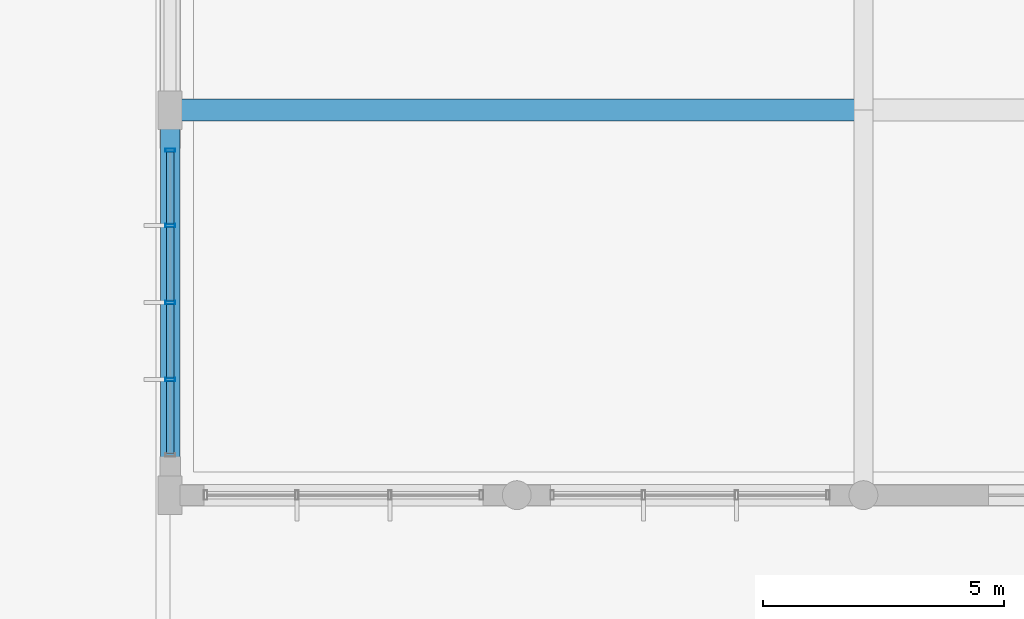
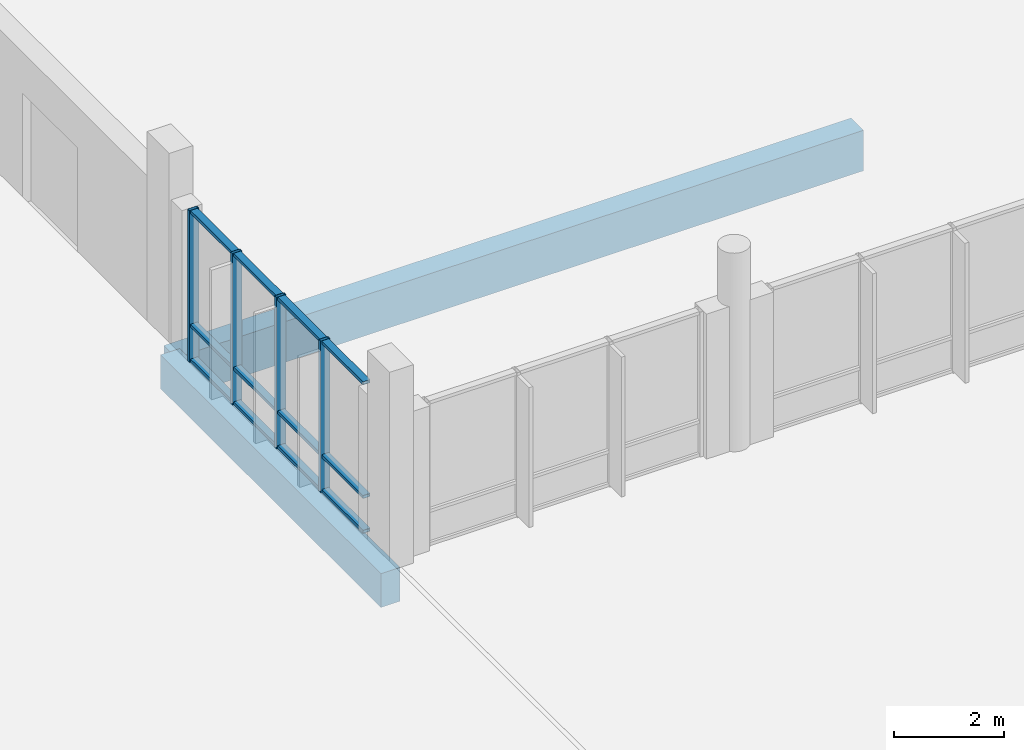
# One storey, part 58 of 233: 16 members, 2 beams, 1 element without a shape of its own.
"""IFC4 building model written with IfcOpenShell, lengths in metres."""

from ifc_helpers import new_model, si_unit, direction, frame, origin, origin_2d, place, context, subcontext, project, spatial, rectangle, hollow_rectangle, extrude, material, material_profile, profile_set, type_object, element, aggregate, save


model = new_model("IFC4")

# Units and contexts
model_context = context("Model", 3, precision=1e-05, world=origin(), true_north=direction((0.0, 1.0)))
body_context = subcontext(model_context, "Body", "Model", "MODEL_VIEW")
ifc_project = project(units=[si_unit("LENGTHUNIT", "METRE"), si_unit("AREAUNIT", "SQUARE_METRE"), si_unit("VOLUMEUNIT", "CUBIC_METRE"), si_unit("PLANEANGLEUNIT", "RADIAN"), si_unit("MASSUNIT", "GRAM", prefix="KILO")], contexts=[model_context])

# Site, building, storey
site_placement = place(None, origin())
site = spatial("IfcSite", under=ifc_project, at=site_placement, CompositionType="ELEMENT")
building_placement = place(site_placement, origin())
building = spatial("IfcBuilding", under=site, at=building_placement, Name="Zavelmont Quarter", CompositionType="ELEMENT")
storey_placement = place(building_placement, origin())
storey = spatial("IfcBuildingStorey", under=building, at=storey_placement, Name="L00", CompositionType="ELEMENT", Elevation=0.0)

# Beams
ifc_material_1 = material(Name="Concrete C40/50", Category="concrete")
ifc_material_profile_1 = material_profile(ifc_material_1, rectangle(XDim=0.39990234375, YDim=0.75, at=origin_2d()), Name="RC400X750")
ifc_profile_set_1 = profile_set([ifc_material_profile_1], Name="Concrete C40/50")
beam_type_1 = type_object("IfcBeamType", Name="BM05", PredefinedType="BEAM", material=ifc_profile_set_1)
beam_1_placement = place(storey_placement, frame((55.199951171875, 30.0, -0.695068359375), z_axis=(0.0, 1.0, 0.0), x_axis=(-1.0, 0.0, 0.0)))
element("IfcBeam", 1, at=beam_1_placement, inside=storey, type_object=beam_type_1, Name="L00 beam BM05 9/F to 9/G", PredefinedType="BEAM", context=body_context, shape_type="SweptSolid", body=[
    extrude(rectangle(XDim=0.39990234375, YDim=0.75, at=origin_2d()), origin(), (0.0, 0.0, 1.0), 8.0),
])
ifc_material_profile_2 = material_profile(ifc_material_1, rectangle(XDim=0.449951171875, YDim=0.89990234375, at=origin_2d()), Name="RC450X900")
ifc_profile_set_2 = profile_set([ifc_material_profile_2], Name="Concrete C40/50")
beam_type_2 = type_object("IfcBeamType", Name="BM06", PredefinedType="BEAM", material=ifc_profile_set_2)
beam_2_placement = place(storey_placement, frame((55.199951171875, 38.0, -0.77001953125), z_axis=(1.0, 0.0, 0.0), x_axis=(0.0, 1.0, 0.0)))
element("IfcBeam", 2, at=beam_2_placement, inside=storey, type_object=beam_type_2, Name="L00 beam BM06 9/G to 11/G", PredefinedType="BEAM", context=body_context, shape_type="SweptSolid", body=[
    extrude(rectangle(XDim=0.449951171875, YDim=0.89990234375, at=origin_2d()), origin(), (0.0, 0.0, 1.0), 14.400146484375),
])

# Curtain wall, members
ifc_material_2 = material(Name="Thermally broken aluminium and double low-E safety glazing", Category="aluminium")
curtain_wall_type = type_object("IfcCurtainWallType", Name="CW-640X336", PredefinedType="NOTDEFINED", material=ifc_material_2)
curtain_wall_placement = place(storey_placement, origin())
curtain_wall = element("IfcCurtainWall", 3, at=curtain_wall_placement, inside=storey, type_object=curtain_wall_type, Name="L00 unitised curtain wall CW-640X336", PredefinedType="NOTDEFINED")
ifc_material_3 = material(Name="Powder-coated aluminium EN AW-6063-T6", Category="aluminium")
ifc_material_profile_3 = material_profile(ifc_material_3, hollow_rectangle(XDim=0.070068359375, YDim=0.199951171875, WallThickness=0.0048828125, at=origin_2d()), Name="CWM70X200")
ifc_profile_set_3 = profile_set([ifc_material_profile_3], Name="Powder-coated aluminium EN AW-6063-T6")
member_type_1 = type_object("IfcMemberType", Name="CWM02", PredefinedType="MULLION", material=ifc_profile_set_3)
member_1_placement = place(storey_placement, frame((55.199951171875, 32.39990234375, 0.0), z_axis=(0.0, 0.0, 1.0), x_axis=(0.0, 1.0, 0.0)))
member_1 = element("IfcMember", 4, at=member_1_placement, type_object=member_type_1, Name="CW-640X336 mullion 2", PredefinedType="MULLION", context=body_context, shape_type="SweptSolid", body=[
    extrude(hollow_rectangle(XDim=0.070068359375, YDim=0.199951171875, WallThickness=0.0048828125, at=origin_2d()), origin(), (0.0, 0.0, 1.0), 3.360107421875),
])
member_2_placement = place(storey_placement, frame((55.199951171875, 34.0, 0.0), z_axis=(0.0, 0.0, 1.0), x_axis=(0.0, 1.0, 0.0)))
member_2 = element("IfcMember", 5, at=member_2_placement, type_object=member_type_1, Name="CW-640X336 mullion 3", PredefinedType="MULLION", context=body_context, shape_type="SweptSolid", body=[
    extrude(hollow_rectangle(XDim=0.070068359375, YDim=0.199951171875, WallThickness=0.0048828125, at=origin_2d()), origin(), (0.0, 0.0, 1.0), 3.360107421875),
])
member_3_placement = place(storey_placement, frame((55.199951171875, 35.60009765625, 0.0), z_axis=(0.0, 0.0, 1.0), x_axis=(0.0, 1.0, 0.0)))
member_3 = element("IfcMember", 6, at=member_3_placement, type_object=member_type_1, Name="CW-640X336 mullion 4", PredefinedType="MULLION", context=body_context, shape_type="SweptSolid", body=[
    extrude(hollow_rectangle(XDim=0.070068359375, YDim=0.199951171875, WallThickness=0.0048828125, at=origin_2d()), origin(), (0.0, 0.0, 1.0), 3.360107421875),
])
member_4_placement = place(storey_placement, frame((55.199951171875, 37.1650390625, 0.0), z_axis=(0.0, 0.0, 1.0), x_axis=(0.0, 1.0, 0.0)))
member_4 = element("IfcMember", 7, at=member_4_placement, type_object=member_type_1, Name="CW-640X336 mullion 5", PredefinedType="MULLION", context=body_context, shape_type="SweptSolid", body=[
    extrude(hollow_rectangle(XDim=0.070068359375, YDim=0.199951171875, WallThickness=0.0048828125, at=origin_2d()), origin(), (0.0, 0.0, 1.0), 3.360107421875),
])
ifc_material_profile_4 = material_profile(ifc_material_3, hollow_rectangle(XDim=0.14990234375, YDim=0.070068359375, WallThickness=0.00439453125, at=origin_2d()), Name="CWT70X150")
ifc_profile_set_4 = profile_set([ifc_material_profile_4], Name="Powder-coated aluminium EN AW-6063-T6")
member_type_2 = type_object("IfcMemberType", Name="CWT02", PredefinedType="NOTDEFINED", material=ifc_profile_set_4)
member_5_placement = place(storey_placement, frame((55.199951171875, 30.8701171875, 0.034912109375), z_axis=(0.0, 1.0, 0.0), x_axis=(-1.0, 0.0, 0.0)))
member_5 = element("IfcMember", 8, at=member_5_placement, type_object=member_type_2, Name="CW-640X336 transom 1.1", ObjectType="TRANSOM", PredefinedType="USERDEFINED", context=body_context, shape_type="SweptSolid", body=[
    extrude(hollow_rectangle(XDim=0.14990234375, YDim=0.070068359375, WallThickness=0.00439453125, at=origin_2d()), origin(), (0.0, 0.0, 1.0), 1.494873046875),
])
member_6_placement = place(storey_placement, frame((55.199951171875, 30.8701171875, 0.805908203125), z_axis=(0.0, 1.0, 0.0), x_axis=(-1.0, 0.0, 0.0)))
member_6 = element("IfcMember", 9, at=member_6_placement, type_object=member_type_2, Name="CW-640X336 transom 1.2", ObjectType="TRANSOM", PredefinedType="USERDEFINED", context=body_context, shape_type="SweptSolid", body=[
    extrude(hollow_rectangle(XDim=0.14990234375, YDim=0.070068359375, WallThickness=0.00439453125, at=origin_2d()), origin(), (0.0, 0.0, 1.0), 1.494873046875),
])
member_7_placement = place(storey_placement, frame((55.199951171875, 30.8701171875, 3.324951171875), z_axis=(0.0, 1.0, 0.0), x_axis=(-1.0, 0.0, 0.0)))
member_7 = element("IfcMember", 10, at=member_7_placement, type_object=member_type_2, Name="CW-640X336 transom 1.3", ObjectType="TRANSOM", PredefinedType="USERDEFINED", context=body_context, shape_type="SweptSolid", body=[
    extrude(hollow_rectangle(XDim=0.14990234375, YDim=0.070068359375, WallThickness=0.00439453125, at=origin_2d()), origin(), (0.0, 0.0, 1.0), 1.494873046875),
])
member_8_placement = place(storey_placement, frame((55.199951171875, 32.43505859375, 0.034912109375), z_axis=(0.0, 1.0, 0.0), x_axis=(-1.0, 0.0, 0.0)))
member_8 = element("IfcMember", 11, at=member_8_placement, type_object=member_type_2, Name="CW-640X336 transom 2.1", ObjectType="TRANSOM", PredefinedType="USERDEFINED", context=body_context, shape_type="SweptSolid", body=[
    extrude(hollow_rectangle(XDim=0.14990234375, YDim=0.070068359375, WallThickness=0.00439453125, at=origin_2d()), origin(), (0.0, 0.0, 1.0), 1.530029296875),
])
member_9_placement = place(storey_placement, frame((55.199951171875, 32.43505859375, 0.805908203125), z_axis=(0.0, 1.0, 0.0), x_axis=(-1.0, 0.0, 0.0)))
member_9 = element("IfcMember", 12, at=member_9_placement, type_object=member_type_2, Name="CW-640X336 transom 2.2", ObjectType="TRANSOM", PredefinedType="USERDEFINED", context=body_context, shape_type="SweptSolid", body=[
    extrude(hollow_rectangle(XDim=0.14990234375, YDim=0.070068359375, WallThickness=0.00439453125, at=origin_2d()), origin(), (0.0, 0.0, 1.0), 1.530029296875),
])
member_10_placement = place(storey_placement, frame((55.199951171875, 32.43505859375, 3.324951171875), z_axis=(0.0, 1.0, 0.0), x_axis=(-1.0, 0.0, 0.0)))
member_10 = element("IfcMember", 13, at=member_10_placement, type_object=member_type_2, Name="CW-640X336 transom 2.3", ObjectType="TRANSOM", PredefinedType="USERDEFINED", context=body_context, shape_type="SweptSolid", body=[
    extrude(hollow_rectangle(XDim=0.14990234375, YDim=0.070068359375, WallThickness=0.00439453125, at=origin_2d()), origin(), (0.0, 0.0, 1.0), 1.530029296875),
])
member_11_placement = place(storey_placement, frame((55.199951171875, 34.034912109375, 0.034912109375), z_axis=(0.0, 1.0, 0.0), x_axis=(-1.0, 0.0, 0.0)))
member_11 = element("IfcMember", 14, at=member_11_placement, type_object=member_type_2, Name="CW-640X336 transom 3.1", ObjectType="TRANSOM", PredefinedType="USERDEFINED", context=body_context, shape_type="SweptSolid", body=[
    extrude(hollow_rectangle(XDim=0.14990234375, YDim=0.070068359375, WallThickness=0.00439453125, at=origin_2d()), origin(), (0.0, 0.0, 1.0), 1.530029296875),
])
member_12_placement = place(storey_placement, frame((55.199951171875, 34.034912109375, 0.805908203125), z_axis=(0.0, 1.0, 0.0), x_axis=(-1.0, 0.0, 0.0)))
member_12 = element("IfcMember", 15, at=member_12_placement, type_object=member_type_2, Name="CW-640X336 transom 3.2", ObjectType="TRANSOM", PredefinedType="USERDEFINED", context=body_context, shape_type="SweptSolid", body=[
    extrude(hollow_rectangle(XDim=0.14990234375, YDim=0.070068359375, WallThickness=0.00439453125, at=origin_2d()), origin(), (0.0, 0.0, 1.0), 1.530029296875),
])
member_13_placement = place(storey_placement, frame((55.199951171875, 34.034912109375, 3.324951171875), z_axis=(0.0, 1.0, 0.0), x_axis=(-1.0, 0.0, 0.0)))
member_13 = element("IfcMember", 16, at=member_13_placement, type_object=member_type_2, Name="CW-640X336 transom 3.3", ObjectType="TRANSOM", PredefinedType="USERDEFINED", context=body_context, shape_type="SweptSolid", body=[
    extrude(hollow_rectangle(XDim=0.14990234375, YDim=0.070068359375, WallThickness=0.00439453125, at=origin_2d()), origin(), (0.0, 0.0, 1.0), 1.530029296875),
])
member_14_placement = place(storey_placement, frame((55.199951171875, 35.635009765625, 0.034912109375), z_axis=(0.0, 1.0, 0.0), x_axis=(-1.0, 0.0, 0.0)))
member_14 = element("IfcMember", 17, at=member_14_placement, type_object=member_type_2, Name="CW-640X336 transom 4.1", ObjectType="TRANSOM", PredefinedType="USERDEFINED", context=body_context, shape_type="SweptSolid", body=[
    extrude(hollow_rectangle(XDim=0.14990234375, YDim=0.070068359375, WallThickness=0.00439453125, at=origin_2d()), origin(), (0.0, 0.0, 1.0), 1.494873046875),
])
member_15_placement = place(storey_placement, frame((55.199951171875, 35.635009765625, 0.805908203125), z_axis=(0.0, 1.0, 0.0), x_axis=(-1.0, 0.0, 0.0)))
member_15 = element("IfcMember", 18, at=member_15_placement, type_object=member_type_2, Name="CW-640X336 transom 4.2", ObjectType="TRANSOM", PredefinedType="USERDEFINED", context=body_context, shape_type="SweptSolid", body=[
    extrude(hollow_rectangle(XDim=0.14990234375, YDim=0.070068359375, WallThickness=0.00439453125, at=origin_2d()), origin(), (0.0, 0.0, 1.0), 1.494873046875),
])
member_16_placement = place(storey_placement, frame((55.199951171875, 35.635009765625, 3.324951171875), z_axis=(0.0, 1.0, 0.0), x_axis=(-1.0, 0.0, 0.0)))
member_16 = element("IfcMember", 19, at=member_16_placement, type_object=member_type_2, Name="CW-640X336 transom 4.3", ObjectType="TRANSOM", PredefinedType="USERDEFINED", context=body_context, shape_type="SweptSolid", body=[
    extrude(hollow_rectangle(XDim=0.14990234375, YDim=0.070068359375, WallThickness=0.00439453125, at=origin_2d()), origin(), (0.0, 0.0, 1.0), 1.494873046875),
])
aggregate(curtain_wall, [member_1, member_2, member_3, member_4, member_5, member_6, member_7, member_8, member_9, member_10, member_11, member_12, member_13, member_14, member_15, member_16])

save(model, "model.ifc")
